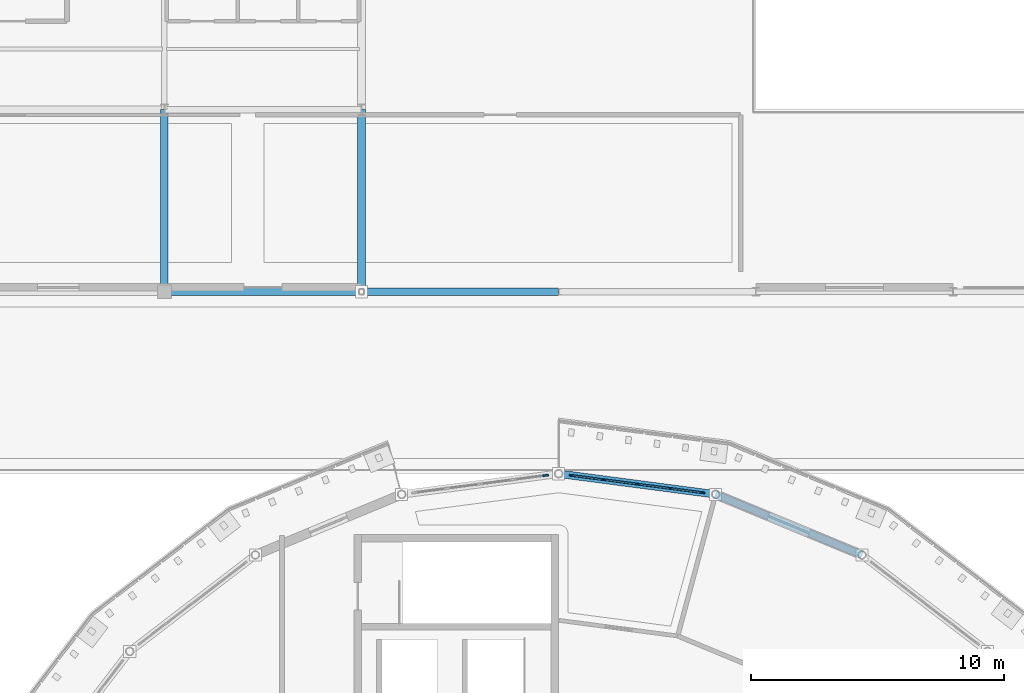
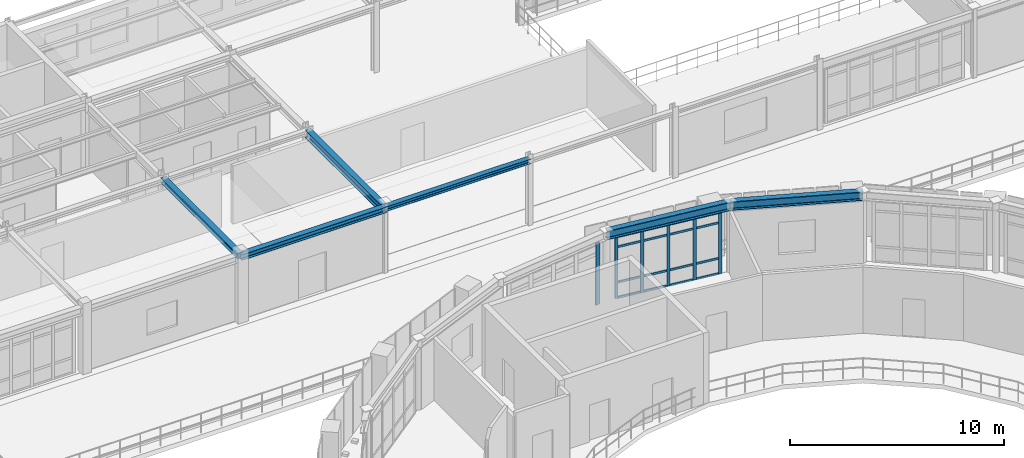
# One storey, part 26 of 58: 22 members, 6 beams, 2 elements without a shape of their own.
"""IFC4 building model written with IfcOpenShell, lengths in metres."""

from ifc_helpers import new_model, si_unit, derived_unit, direction, frame, origin, origin_2d, place, context, subcontext, project, spatial, rectangle, i_section, extrude, material, layer, layer_set, material_profile, profile_set, type_object, element, aggregate, save


model = new_model("IFC4")

# Units and contexts
model_context = context("Model", 3, precision=1e-05, world=origin(), true_north=direction((0.0, 1.0)))
body_context = subcontext(model_context, "Body", "Model", "MODEL_VIEW")
ifc_project = project(units=[si_unit("LENGTHUNIT", "METRE"), si_unit("AREAUNIT", "SQUARE_METRE"), si_unit("VOLUMEUNIT", "CUBIC_METRE"), si_unit("PLANEANGLEUNIT", "RADIAN"), si_unit("MASSUNIT", "GRAM", prefix="KILO"), derived_unit("THERMALTRANSMITTANCEUNIT", [(si_unit("POWERUNIT", "WATT"), 1), (si_unit("AREAUNIT", "SQUARE_METRE"), -1), (si_unit("THERMODYNAMICTEMPERATUREUNIT", "KELVIN"), -1)])], contexts=[model_context])

# Site, building, storey
site_placement = place(None, origin())
site = spatial("IfcSite", under=ifc_project, at=site_placement, CompositionType="ELEMENT")
building_placement = place(site_placement, origin())
building = spatial("IfcBuilding", under=site, at=building_placement, Name="Yasenodar Specialist Clinic", CompositionType="ELEMENT")
storey_placement = place(building_placement, frame((0.0, 0.0, 17.25)))
storey = spatial("IfcBuildingStorey", under=building, at=storey_placement, Name="L04", CompositionType="ELEMENT", Elevation=17.25)

# Beams
ifc_material_1 = material(Name="Steel S355", Category="steel")
ifc_material_profile_1 = material_profile(ifc_material_1, i_section(OverallWidth=0.280029296875, OverallDepth=0.27001953125, WebThickness=0.008056640625, FlangeThickness=0.012939453125, FilletRadius=0.02392578125, at=origin_2d()), Name="HEA 280")
ifc_profile_set_1 = profile_set([ifc_material_profile_1], Name="Steel S355")
beam_type_1 = type_object("IfcBeamType", Name="BM-HEA280", PredefinedType="BEAM", material=ifc_profile_set_1)
beam_1_placement = place(storey_placement, frame((73.199951171875, 90.0, 3.655029296875), z_axis=(1.0, 0.0, 0.0), x_axis=(0.0, 1.0, 0.0)))
element("IfcBeam", 1, at=beam_1_placement, inside=storey, type_object=beam_type_1, Name="L04 Primary E-W Girder", PredefinedType="BEAM", context=body_context, shape_type="SweptSolid", body=[
    extrude(i_section(OverallWidth=0.280029296875, OverallDepth=0.27001953125, WebThickness=0.008056640625, FlangeThickness=0.012939453125, FilletRadius=0.02392578125, at=origin_2d()), origin(), (0.0, 0.0, 1.0), 7.800048828125),
])
ifc_material_profile_2 = material_profile(ifc_material_1, i_section(OverallWidth=0.300048828125, OverallDepth=0.2900390625, WebThickness=0.008544921875, FlangeThickness=0.013916015625, FilletRadius=0.027099609375, at=origin_2d()), Name="HEA 300")
ifc_profile_set_2 = profile_set([ifc_material_profile_2], Name="Steel S355")
beam_type_2 = type_object("IfcBeamType", Name="BM-HEA300", PredefinedType="BEAM", material=ifc_profile_set_2)
beam_2_placement = place(storey_placement, frame((65.39990234375, 90.0, 3.64501953125), z_axis=(0.0, 1.0, 0.0), x_axis=(-1.0, 0.0, 0.0)))
element("IfcBeam", 2, at=beam_2_placement, inside=storey, type_object=beam_type_2, Name="L04 Primary N-S Girder", PredefinedType="BEAM", context=body_context, shape_type="SweptSolid", body=[
    extrude(i_section(OverallWidth=0.300048828125, OverallDepth=0.2900390625, WebThickness=0.008544921875, FlangeThickness=0.013916015625, FilletRadius=0.027099609375, at=origin_2d()), origin(), (0.0, 0.0, 1.0), 7.199951171875),
])
ifc_material_profile_3 = material_profile(ifc_material_1, i_section(OverallWidth=0.300048828125, OverallDepth=0.330078125, WebThickness=0.009521484375, FlangeThickness=0.0166015625, FilletRadius=0.027099609375, at=origin_2d()), Name="HEA 340")
ifc_profile_set_3 = profile_set([ifc_material_profile_3], Name="Steel S355")
beam_type_3 = type_object("IfcBeamType", Name="BM-HEA340", PredefinedType="BEAM", material=ifc_profile_set_3)
beam_3_placement = place(storey_placement, frame((65.39990234375, 90.0, 3.625), z_axis=(1.0, 0.0, 0.0), x_axis=(0.0, 1.0, 0.0)))
element("IfcBeam", 3, at=beam_3_placement, inside=storey, type_object=beam_type_3, Name="L04 Primary E-W Girder", PredefinedType="BEAM", context=body_context, shape_type="SweptSolid", body=[
    extrude(i_section(OverallWidth=0.300048828125, OverallDepth=0.330078125, WebThickness=0.009521484375, FlangeThickness=0.0166015625, FilletRadius=0.027099609375, at=origin_2d()), origin(), (0.0, 0.0, 1.0), 7.800048828125),
])
ifc_material_profile_4 = material_profile(ifc_material_1, i_section(OverallWidth=0.300048828125, OverallDepth=0.449951171875, WebThickness=0.013916015625, FlangeThickness=0.02587890625, FilletRadius=0.027099609375, at=origin_2d()), Name="HEB 450")
ifc_profile_set_4 = profile_set([ifc_material_profile_4], Name="Steel S355")
beam_type_4 = type_object("IfcBeamType", Name="BM-HEB450", PredefinedType="BEAM", material=ifc_profile_set_4)
beam_4_placement = place(storey_placement, frame((73.199951171875, 90.0, 3.56494140625), z_axis=(0.0, 1.0, 0.0), x_axis=(-1.0, 0.0, 0.0)))
element("IfcBeam", 4, at=beam_4_placement, inside=storey, type_object=beam_type_4, Name="L04 Primary N-S Girder", PredefinedType="BEAM", context=body_context, shape_type="SweptSolid", body=[
    extrude(i_section(OverallWidth=0.300048828125, OverallDepth=0.449951171875, WebThickness=0.013916015625, FlangeThickness=0.02587890625, FilletRadius=0.027099609375, at=origin_2d()), origin(), (0.0, 0.0, 1.0), 7.199951171875),
])
ifc_material_profile_5 = material_profile(ifc_material_1, i_section(OverallWidth=0.300048828125, OverallDepth=0.5, WebThickness=0.014404296875, FlangeThickness=0.028076171875, FilletRadius=0.027099609375, at=origin_2d()), Name="HEB 500")
ifc_profile_set_5 = profile_set([ifc_material_profile_5], Name="Steel S355")
beam_type_5 = type_object("IfcBeamType", Name="BM-HEB500", PredefinedType="BEAM", material=ifc_profile_set_5)
beam_5_placement = place(storey_placement, frame((93.0, 79.584716796875, 3.800048828125), z_axis=(-0.9238876519, 0.382663829839, 0.0), x_axis=(-0.382663829839, -0.9238876519, 0.0)))
element("IfcBeam", 5, at=beam_5_placement, inside=storey, type_object=beam_type_5, Name="L04 Drum V1 Roof Ring Beam", PredefinedType="BEAM", context=body_context, shape_type="SweptSolid", body=[
    extrude(i_section(OverallWidth=0.300048828125, OverallDepth=0.5, WebThickness=0.014404296875, FlangeThickness=0.028076171875, FilletRadius=0.027099609375, at=origin_2d()), origin(), (0.0, 0.0, 1.0), 6.26513671875),
])
beam_6_placement = place(storey_placement, frame((87.211669921875, 81.982177734375, 3.800048828125), z_axis=(-0.991443018138, 0.130540192224, 0.0), x_axis=(-0.130540192224, -0.991443018138, 0.0)))
element("IfcBeam", 6, at=beam_6_placement, inside=storey, type_object=beam_type_5, Name="L04 Drum V1 Roof Ring Beam", PredefinedType="BEAM", context=body_context, shape_type="SweptSolid", body=[
    extrude(i_section(OverallWidth=0.300048828125, OverallDepth=0.5, WebThickness=0.014404296875, FlangeThickness=0.028076171875, FilletRadius=0.027099609375, at=origin_2d()), origin(), (0.0, 0.0, 1.0), 6.265380859375),
])

# Curtain wall, members
ifc_material_2 = material(Name="Bronze Anodized Aluminium and Triple Low-E Glass", Category="aluminium")
ifc_layer = layer(ifc_material_2, 0.1669921875)
ifc_layer_set = layer_set([ifc_layer], Name="Bronze Anodized Aluminium and Triple Low-E Glass")
curtain_wall_type = type_object("IfcCurtainWallType", Name="CW-SYS-01", PredefinedType="USERDEFINED", material=ifc_layer_set)
curtain_wall_1_placement = place(storey_placement, origin())
curtain_wall_1 = element("IfcCurtainWall", 7, at=curtain_wall_1_placement, inside=storey, type_object=curtain_wall_type, Name="L04 Unitised Curtain Wall 059", ObjectType="UNITISED CURTAIN WALL", PredefinedType="USERDEFINED")
ifc_material_3 = material(Name="Bronze Anodized Aluminium", Category="aluminium")
ifc_material_profile_6 = material_profile(ifc_material_3, rectangle(XDim=0.06005859375, YDim=0.159912109375, at=origin_2d()), Name="CW-MULL 60x160")
ifc_profile_set_6 = profile_set([ifc_material_profile_6], Name="Bronze Anodized Aluminium")
member_type_1 = type_object("IfcMemberType", Name="CW-MULL-160", PredefinedType="MULLION", material=ifc_profile_set_6)
member_1_placement = place(storey_placement, frame((81.505615234375, 82.7333984375, 0.0), z_axis=(0.0, 0.0, 1.0), x_axis=(0.13051156024, 0.991446787601, 0.0)))
member_1 = element("IfcMember", 8, at=member_1_placement, type_object=member_type_1, Name="CW-01 mullion 1", PredefinedType="MULLION", context=body_context, shape_type="SweptSolid", body=[
    extrude(rectangle(XDim=0.06005859375, YDim=0.159912109375, at=origin_2d()), origin(), (0.0, 0.0, 1.0), 3.528076171875),
])
member_2_placement = place(storey_placement, frame((82.790771484375, 82.564208984375, 0.0), z_axis=(0.0, 0.0, 1.0), x_axis=(0.13051156024, 0.991446787601, 0.0)))
member_2 = element("IfcMember", 9, at=member_2_placement, type_object=member_type_1, Name="CW-01 mullion 2", PredefinedType="MULLION", context=body_context, shape_type="SweptSolid", body=[
    extrude(rectangle(XDim=0.06005859375, YDim=0.159912109375, at=origin_2d()), origin(), (0.0, 0.0, 1.0), 3.528076171875),
])
member_3_placement = place(storey_placement, frame((84.10595703125, 82.39111328125, 0.0), z_axis=(0.0, 0.0, 1.0), x_axis=(0.13051156024, 0.991446787601, 0.0)))
member_3 = element("IfcMember", 10, at=member_3_placement, type_object=member_type_1, Name="CW-01 mullion 3", PredefinedType="MULLION", context=body_context, shape_type="SweptSolid", body=[
    extrude(rectangle(XDim=0.06005859375, YDim=0.159912109375, at=origin_2d()), origin(), (0.0, 0.0, 1.0), 3.528076171875),
])
member_4_placement = place(storey_placement, frame((85.4208984375, 82.218017578125, 0.0), z_axis=(0.0, 0.0, 1.0), x_axis=(0.13051156024, 0.991446787601, 0.0)))
member_4 = element("IfcMember", 11, at=member_4_placement, type_object=member_type_1, Name="CW-01 mullion 4", PredefinedType="MULLION", context=body_context, shape_type="SweptSolid", body=[
    extrude(rectangle(XDim=0.06005859375, YDim=0.159912109375, at=origin_2d()), origin(), (0.0, 0.0, 1.0), 3.528076171875),
])
member_5_placement = place(storey_placement, frame((86.7060546875, 82.048828125, 0.0), z_axis=(0.0, 0.0, 1.0), x_axis=(0.13051156024, 0.991446787601, 0.0)))
member_5 = element("IfcMember", 12, at=member_5_placement, type_object=member_type_1, Name="CW-01 mullion 5", PredefinedType="MULLION", context=body_context, shape_type="SweptSolid", body=[
    extrude(rectangle(XDim=0.06005859375, YDim=0.159912109375, at=origin_2d()), origin(), (0.0, 0.0, 1.0), 3.528076171875),
])

# Curtain wall, member
curtain_wall_2_placement = place(storey_placement, origin())
curtain_wall_2 = element("IfcCurtainWall", 13, at=curtain_wall_2_placement, inside=storey, type_object=curtain_wall_type, Name="L04 Unitised Curtain Wall 060", ObjectType="UNITISED CURTAIN WALL", PredefinedType="USERDEFINED")
ifc_material_profile_7 = material_profile(ifc_material_3, rectangle(XDim=0.074951171875, YDim=0.22509765625, at=origin_2d()), Name="CW-MULL 75x225")
ifc_profile_set_7 = profile_set([ifc_material_profile_7], Name="Bronze Anodized Aluminium")
member_type_2 = type_object("IfcMemberType", Name="CW-MULL-225", PredefinedType="MULLION", material=ifc_profile_set_7)
member_6_placement = place(storey_placement, frame((80.48681640625, 82.732421875, 0.0), z_axis=(0.0, 0.0, 1.0), x_axis=(-0.13051156024, 0.991446787601, 0.0)))
member_6 = element("IfcMember", 14, at=member_6_placement, type_object=member_type_2, Name="CW-01 mullion 5", PredefinedType="MULLION", context=body_context, shape_type="SweptSolid", body=[
    extrude(rectangle(XDim=0.074951171875, YDim=0.22509765625, at=origin_2d()), origin(), (0.0, 0.0, 1.0), 3.528076171875),
])
aggregate(curtain_wall_2, [member_6])

# Member
ifc_material_profile_8 = material_profile(ifc_material_3, rectangle(XDim=0.06005859375, YDim=0.1201171875, at=origin_2d()), Name="CW-TRAN 60x120")
ifc_profile_set_8 = profile_set([ifc_material_profile_8], Name="Bronze Anodized Aluminium")
member_type_3 = type_object("IfcMemberType", Name="CW-TRAN-120", PredefinedType="USERDEFINED", material=ifc_profile_set_8)
member_7_placement = place(storey_placement, frame((81.535400390625, 82.7294921875, 0.030029296875), z_axis=(0.99144555616, -0.130520914683, 0.0), x_axis=(0.130520914683, 0.99144555616, 0.0)))
member_7 = element("IfcMember", 15, at=member_7_placement, type_object=member_type_3, Name="CW-01 transom 1.1", ObjectType="TRANSOM", PredefinedType="USERDEFINED", context=body_context, shape_type="SweptSolid", body=[
    extrude(rectangle(XDim=0.06005859375, YDim=0.1201171875, at=origin_2d()), origin(), (0.0, 0.0, 1.0), 1.236328125),
])

member_8_placement = place(storey_placement, frame((81.535400390625, 82.7294921875, 0.89990234375), z_axis=(0.99144555616, -0.130520914683, 0.0), x_axis=(0.130520914683, 0.99144555616, 0.0)))
member_8 = element("IfcMember", 16, at=member_8_placement, type_object=member_type_3, Name="CW-01 transom 1.2", ObjectType="TRANSOM", PredefinedType="USERDEFINED", context=body_context, shape_type="SweptSolid", body=[
    extrude(rectangle(XDim=0.06005859375, YDim=0.1201171875, at=origin_2d()), origin(), (0.0, 0.0, 1.0), 1.236328125),
])

member_9_placement = place(storey_placement, frame((81.535400390625, 82.7294921875, 2.927978515625), z_axis=(0.99144555616, -0.130520914683, 0.0), x_axis=(0.130520914683, 0.99144555616, 0.0)))
member_9 = element("IfcMember", 17, at=member_9_placement, type_object=member_type_3, Name="CW-01 transom 1.3", ObjectType="TRANSOM", PredefinedType="USERDEFINED", context=body_context, shape_type="SweptSolid", body=[
    extrude(rectangle(XDim=0.06005859375, YDim=0.1201171875, at=origin_2d()), origin(), (0.0, 0.0, 1.0), 1.236328125),
])

member_10_placement = place(storey_placement, frame((81.535400390625, 82.7294921875, 3.498046875), z_axis=(0.99144555616, -0.130520914683, 0.0), x_axis=(0.130520914683, 0.99144555616, 0.0)))
member_10 = element("IfcMember", 18, at=member_10_placement, type_object=member_type_3, Name="CW-01 transom 1.4", ObjectType="TRANSOM", PredefinedType="USERDEFINED", context=body_context, shape_type="SweptSolid", body=[
    extrude(rectangle(XDim=0.06005859375, YDim=0.1201171875, at=origin_2d()), origin(), (0.0, 0.0, 1.0), 1.236328125),
])

member_11_placement = place(storey_placement, frame((82.820556640625, 82.560302734375, 0.030029296875), z_axis=(0.991447076407, -0.13050936627, 0.0), x_axis=(0.13050936627, 0.991447076407, 0.0)))
member_11 = element("IfcMember", 19, at=member_11_placement, type_object=member_type_3, Name="CW-01 transom 2.1", ObjectType="TRANSOM", PredefinedType="USERDEFINED", context=body_context, shape_type="SweptSolid", body=[
    extrude(rectangle(XDim=0.06005859375, YDim=0.1201171875, at=origin_2d()), origin(), (0.0, 0.0, 1.0), 1.266357421875),
])

member_12_placement = place(storey_placement, frame((82.820556640625, 82.560302734375, 0.89990234375), z_axis=(0.991447076407, -0.13050936627, 0.0), x_axis=(0.13050936627, 0.991447076407, 0.0)))
member_12 = element("IfcMember", 20, at=member_12_placement, type_object=member_type_3, Name="CW-01 transom 2.2", ObjectType="TRANSOM", PredefinedType="USERDEFINED", context=body_context, shape_type="SweptSolid", body=[
    extrude(rectangle(XDim=0.06005859375, YDim=0.1201171875, at=origin_2d()), origin(), (0.0, 0.0, 1.0), 1.266357421875),
])

member_13_placement = place(storey_placement, frame((82.820556640625, 82.560302734375, 2.927978515625), z_axis=(0.991447076407, -0.13050936627, 0.0), x_axis=(0.13050936627, 0.991447076407, 0.0)))
member_13 = element("IfcMember", 21, at=member_13_placement, type_object=member_type_3, Name="CW-01 transom 2.3", ObjectType="TRANSOM", PredefinedType="USERDEFINED", context=body_context, shape_type="SweptSolid", body=[
    extrude(rectangle(XDim=0.06005859375, YDim=0.1201171875, at=origin_2d()), origin(), (0.0, 0.0, 1.0), 1.266357421875),
])

member_14_placement = place(storey_placement, frame((82.820556640625, 82.560302734375, 3.498046875), z_axis=(0.991447076407, -0.13050936627, 0.0), x_axis=(0.13050936627, 0.991447076407, 0.0)))
member_14 = element("IfcMember", 22, at=member_14_placement, type_object=member_type_3, Name="CW-01 transom 2.4", ObjectType="TRANSOM", PredefinedType="USERDEFINED", context=body_context, shape_type="SweptSolid", body=[
    extrude(rectangle(XDim=0.06005859375, YDim=0.1201171875, at=origin_2d()), origin(), (0.0, 0.0, 1.0), 1.266357421875),
])

member_15_placement = place(storey_placement, frame((84.135498046875, 82.38720703125, 0.030029296875), z_axis=(0.991447076407, -0.13050936627, 0.0), x_axis=(0.13050936627, 0.991447076407, 0.0)))
member_15 = element("IfcMember", 23, at=member_15_placement, type_object=member_type_3, Name="CW-01 transom 3.1", ObjectType="TRANSOM", PredefinedType="USERDEFINED", context=body_context, shape_type="SweptSolid", body=[
    extrude(rectangle(XDim=0.06005859375, YDim=0.1201171875, at=origin_2d()), origin(), (0.0, 0.0, 1.0), 1.266357421875),
])

member_16_placement = place(storey_placement, frame((84.135498046875, 82.38720703125, 0.89990234375), z_axis=(0.991447076407, -0.13050936627, 0.0), x_axis=(0.13050936627, 0.991447076407, 0.0)))
member_16 = element("IfcMember", 24, at=member_16_placement, type_object=member_type_3, Name="CW-01 transom 3.2", ObjectType="TRANSOM", PredefinedType="USERDEFINED", context=body_context, shape_type="SweptSolid", body=[
    extrude(rectangle(XDim=0.06005859375, YDim=0.1201171875, at=origin_2d()), origin(), (0.0, 0.0, 1.0), 1.266357421875),
])

member_17_placement = place(storey_placement, frame((84.135498046875, 82.38720703125, 2.927978515625), z_axis=(0.991447076407, -0.13050936627, 0.0), x_axis=(0.13050936627, 0.991447076407, 0.0)))
member_17 = element("IfcMember", 25, at=member_17_placement, type_object=member_type_3, Name="CW-01 transom 3.3", ObjectType="TRANSOM", PredefinedType="USERDEFINED", context=body_context, shape_type="SweptSolid", body=[
    extrude(rectangle(XDim=0.06005859375, YDim=0.1201171875, at=origin_2d()), origin(), (0.0, 0.0, 1.0), 1.266357421875),
])

member_18_placement = place(storey_placement, frame((84.135498046875, 82.38720703125, 3.498046875), z_axis=(0.991447076407, -0.13050936627, 0.0), x_axis=(0.13050936627, 0.991447076407, 0.0)))
member_18 = element("IfcMember", 26, at=member_18_placement, type_object=member_type_3, Name="CW-01 transom 3.4", ObjectType="TRANSOM", PredefinedType="USERDEFINED", context=body_context, shape_type="SweptSolid", body=[
    extrude(rectangle(XDim=0.06005859375, YDim=0.1201171875, at=origin_2d()), origin(), (0.0, 0.0, 1.0), 1.266357421875),
])

member_19_placement = place(storey_placement, frame((85.45068359375, 82.214111328125, 0.030029296875), z_axis=(0.991442191305, -0.130546471803, 0.0), x_axis=(0.130546471803, 0.991442191305, 0.0)))
member_19 = element("IfcMember", 27, at=member_19_placement, type_object=member_type_3, Name="CW-01 transom 4.1", ObjectType="TRANSOM", PredefinedType="USERDEFINED", context=body_context, shape_type="SweptSolid", body=[
    extrude(rectangle(XDim=0.06005859375, YDim=0.1201171875, at=origin_2d()), origin(), (0.0, 0.0, 1.0), 1.236083984375),
])

member_20_placement = place(storey_placement, frame((85.45068359375, 82.214111328125, 0.89990234375), z_axis=(0.991442191305, -0.130546471803, 0.0), x_axis=(0.130546471803, 0.991442191305, 0.0)))
member_20 = element("IfcMember", 28, at=member_20_placement, type_object=member_type_3, Name="CW-01 transom 4.2", ObjectType="TRANSOM", PredefinedType="USERDEFINED", context=body_context, shape_type="SweptSolid", body=[
    extrude(rectangle(XDim=0.06005859375, YDim=0.1201171875, at=origin_2d()), origin(), (0.0, 0.0, 1.0), 1.236083984375),
])

member_21_placement = place(storey_placement, frame((85.45068359375, 82.214111328125, 2.927978515625), z_axis=(0.991442191305, -0.130546471803, 0.0), x_axis=(0.130546471803, 0.991442191305, 0.0)))
member_21 = element("IfcMember", 29, at=member_21_placement, type_object=member_type_3, Name="CW-01 transom 4.3", ObjectType="TRANSOM", PredefinedType="USERDEFINED", context=body_context, shape_type="SweptSolid", body=[
    extrude(rectangle(XDim=0.06005859375, YDim=0.1201171875, at=origin_2d()), origin(), (0.0, 0.0, 1.0), 1.236083984375),
])

member_22_placement = place(storey_placement, frame((85.45068359375, 82.214111328125, 3.498046875), z_axis=(0.991442191305, -0.130546471803, 0.0), x_axis=(0.130546471803, 0.991442191305, 0.0)))
member_22 = element("IfcMember", 30, at=member_22_placement, type_object=member_type_3, Name="CW-01 transom 4.4", ObjectType="TRANSOM", PredefinedType="USERDEFINED", context=body_context, shape_type="SweptSolid", body=[
    extrude(rectangle(XDim=0.06005859375, YDim=0.1201171875, at=origin_2d()), origin(), (0.0, 0.0, 1.0), 1.236083984375),
])

aggregate(curtain_wall_1, [member_1, member_2, member_3, member_4, member_5, member_7, member_8, member_9, member_10, member_11, member_12, member_13, member_14, member_15, member_16, member_17, member_18, member_19, member_20, member_21, member_22])

save(model, "model.ifc")
